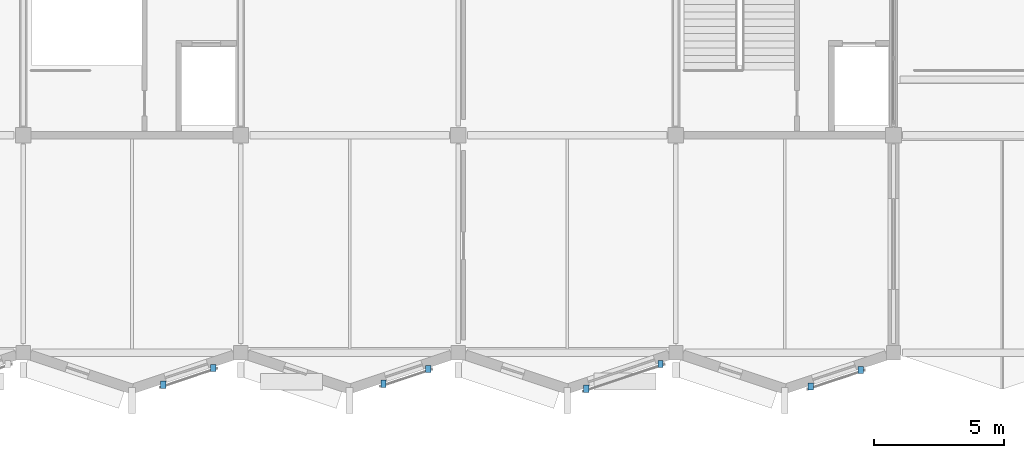
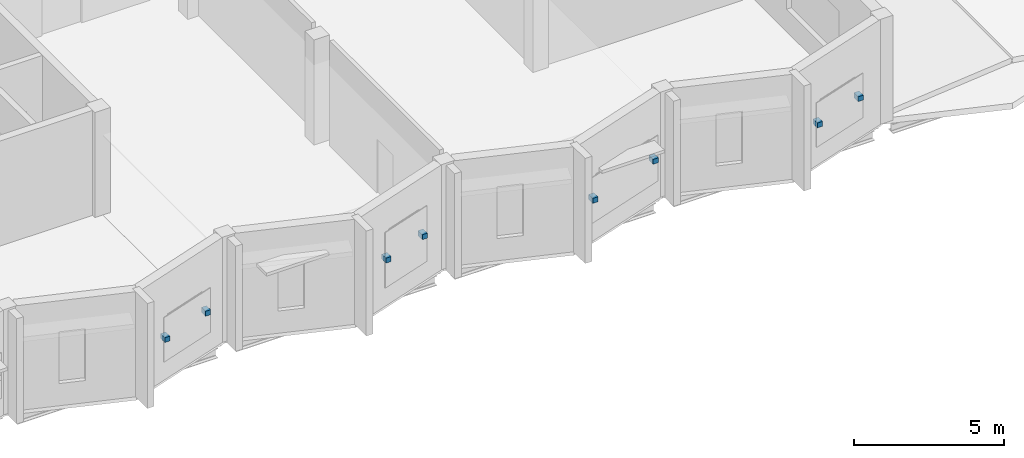
# One storey, part 80 of 81: 8 discrete accessories.
"""IFC4 building model written with IfcOpenShell, lengths in metres."""

from ifc_helpers import new_model, si_unit, direction, frame, origin, origin_2d, place, context, subcontext, project, spatial, rectangle, extrude, material, type_object, element, save


model = new_model("IFC4")

# Units and contexts
model_context = context("Model", 3, precision=1e-05, world=origin(), true_north=direction((0.0, 1.0)))
body_context = subcontext(model_context, "Body", "Model", "MODEL_VIEW")
ifc_project = project(units=[si_unit("LENGTHUNIT", "METRE"), si_unit("AREAUNIT", "SQUARE_METRE"), si_unit("VOLUMEUNIT", "CUBIC_METRE"), si_unit("PLANEANGLEUNIT", "RADIAN"), si_unit("MASSUNIT", "GRAM", prefix="KILO")], contexts=[model_context])

# Site, building, storey
site_placement = place(None, origin())
site = spatial("IfcSite", under=ifc_project, at=site_placement, CompositionType="ELEMENT")
building_placement = place(site_placement, origin())
building = spatial("IfcBuilding", under=site, at=building_placement, Name="Qawsi Khor Wholesale Market", CompositionType="ELEMENT")
storey_placement = place(building_placement, frame((0.0, 0.0, 16.199951171875)))
storey = spatial("IfcBuildingStorey", under=building, at=storey_placement, Name="L03", CompositionType="ELEMENT", Elevation=16.199951171875)

# Discrete accessories
ifc_material = material(Name="Steel S355", Category="steel")
discrete_accessory_type = type_object("IfcDiscreteAccessoryType", Name="Screen Fixing Bracket Steel S355", PredefinedType="BRACKET", material=ifc_material)
for number, where, z_axis, x_axis, name in (
    (1, (99.739501953125, -0.5908203125, 1.64990234375), (0.0, 0.0, 1.0), (1.0, 0.0, 0.0), "Screen bracket 049-1"),
    (2, (97.80419921875, -1.23583984375, 1.64990234375), (0.0, 0.0, 1.0), (1.0, 0.0, 0.0), "Screen bracket 049-2"),
    (3, (108.03515625, -0.62548828125, 1.875), (0.0, 0.0, 1.0), (1.0, 0.0, 0.0), "Screen bracket 050-1"),
    (4, (106.30859375, -1.200927734375, 1.875), (0.0, 0.0, 1.0), (1.0, 0.0, 0.0), "Screen bracket 050-2"),
    (5, (117.00439453125, -0.435791015625, 1.67529296875), (0.0, 0.0, 1.0), (1.0, 0.0, 0.0), "Screen bracket 051-1"),
    (6, (114.13916015625, -1.390869140625, 1.67529296875), (0.0, 0.0, 1.0), (1.0, 0.0, 0.0), "Screen bracket 051-2"),
    (7, (124.7392578125, -0.6650390625, 1.64990234375), (0.0, 0.0, 1.0), (1.0, 0.0, 0.0), "Screen bracket 052-1"),
    (8, (122.802490234375, -1.305419921875, 1.64990234375), (0.0, 0.0, 1.0), (1.0, 0.0, 0.0), "Screen bracket 052-2"),
):
    element("IfcDiscreteAccessory", number, at=place(storey_placement, frame(where, z_axis=z_axis, x_axis=x_axis)), inside=storey, type_object=discrete_accessory_type, Name=name, PredefinedType="BRACKET", context=body_context, shape_type="SweptSolid", body=[
        extrude(rectangle(XDim=0.199951171875, YDim=0.280029296875, at=origin_2d()), origin(), (0.0, 0.0, 1.0), 0.199951171875),
    ])

save(model, "model.ifc")
